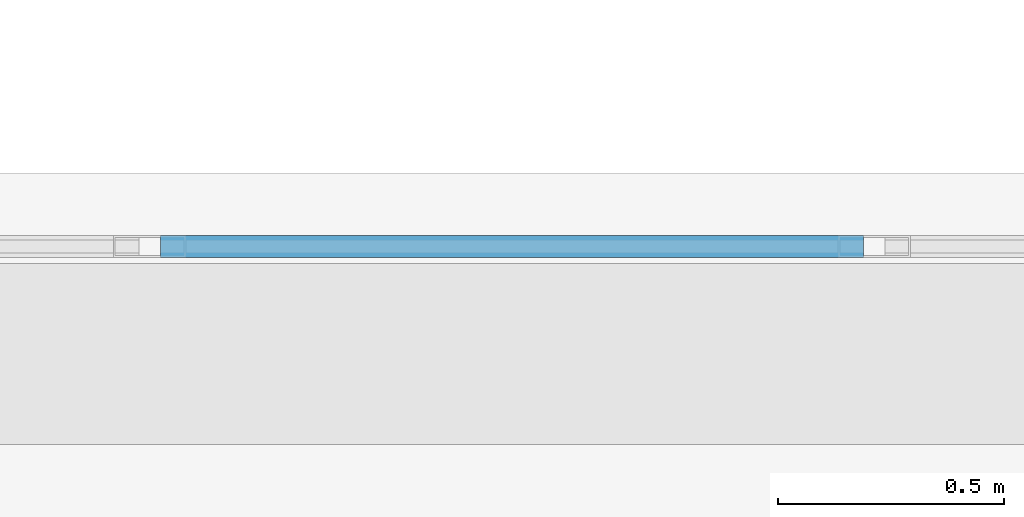
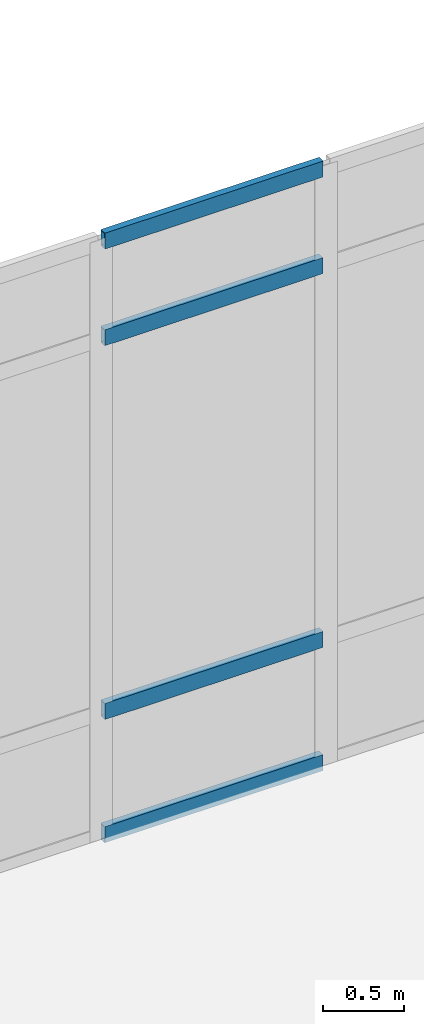
# One storey, part 55 of 189: 4 members, 1 element without a shape of its own.
"""IFC4 building model written with IfcOpenShell, lengths in metres."""

from ifc_helpers import new_model, si_unit, direction, frame, origin, origin_2d, place, context, subcontext, project, spatial, hollow_rectangle, extrude, material, layer, layer_set, material_profile, profile_set, type_object, element, aggregate, save


model = new_model("IFC4")

# Units and contexts
model_context = context("Model", 3, precision=1e-05, world=origin(), true_north=direction((0.0, 1.0)))
body_context = subcontext(model_context, "Body", "Model", "MODEL_VIEW")
ifc_project = project(units=[si_unit("LENGTHUNIT", "METRE"), si_unit("AREAUNIT", "SQUARE_METRE"), si_unit("VOLUMEUNIT", "CUBIC_METRE"), si_unit("PLANEANGLEUNIT", "RADIAN"), si_unit("MASSUNIT", "GRAM", prefix="KILO")], contexts=[model_context])

# Site, building, storey
site_placement = place(None, origin())
site = spatial("IfcSite", under=ifc_project, at=site_placement, CompositionType="ELEMENT")
building_placement = place(site_placement, origin())
building = spatial("IfcBuilding", under=site, at=building_placement, Name="Qalavern Law Courts", CompositionType="ELEMENT")
storey_placement = place(building_placement, frame((0.0, 0.0, 5.39990234375)))
storey = spatial("IfcBuildingStorey", under=building, at=storey_placement, Name="L01", CompositionType="ELEMENT", Elevation=5.39990234375)

# Curtain wall, members
ifc_material_1 = material(Name="Anodised aluminium and insulated glazing", Category="aluminium")
ifc_layer = layer(ifc_material_1, 0.172119140625)
ifc_layer_set = layer_set([ifc_layer], Name="Anodised aluminium and insulated glazing")
curtain_wall_type = type_object("IfcCurtainWallType", Name="ENV-CW-COURT", PredefinedType="USERDEFINED", material=ifc_layer_set)
curtain_wall_placement = place(storey_placement, origin())
curtain_wall = element("IfcCurtainWall", 1, at=curtain_wall_placement, inside=storey, type_object=curtain_wall_type, Name="V6 unitised curtain wall L01 north 5", ObjectType="UNITISED CURTAIN WALL", PredefinedType="USERDEFINED")
ifc_material_2 = material(Name="Anodised aluminium", Category="aluminium")
ifc_material_profile = material_profile(ifc_material_2, hollow_rectangle(XDim=0.048095703125, YDim=0.1201171875, WallThickness=0.00390625, at=origin_2d()), Name="ALU TRANSOM 48x120")
ifc_profile_set = profile_set([ifc_material_profile], Name="Anodised aluminium")
member_type = type_object("IfcMemberType", Name="ENV-CWT-48x120", PredefinedType="USERDEFINED", material=ifc_profile_set)
member_1_placement = place(storey_placement, frame((130.47607421875, 22.4375, 0.024169921875), z_axis=(-1.0, 0.0, 0.0), x_axis=(0.0, -1.0, 0.0)))
member_1 = element("IfcMember", 2, at=member_1_placement, type_object=member_type, Name="CW-03 transom 3.1", ObjectType="TRANSOM", PredefinedType="USERDEFINED", context=body_context, shape_type="SweptSolid", body=[
    extrude(hollow_rectangle(XDim=0.048095703125, YDim=0.1201171875, WallThickness=0.00390625, at=origin_2d()), origin(), (0.0, 0.0, 1.0), 1.552001953125),
])
member_2_placement = place(storey_placement, frame((130.47607421875, 22.4375, 0.9501953125), z_axis=(-1.0, 0.0, 0.0), x_axis=(0.0, -1.0, 0.0)))
member_2 = element("IfcMember", 3, at=member_2_placement, type_object=member_type, Name="CW-03 transom 3.2", ObjectType="TRANSOM", PredefinedType="USERDEFINED", context=body_context, shape_type="SweptSolid", body=[
    extrude(hollow_rectangle(XDim=0.048095703125, YDim=0.1201171875, WallThickness=0.00390625, at=origin_2d()), origin(), (0.0, 0.0, 1.0), 1.552001953125),
])
member_3_placement = place(storey_placement, frame((130.47607421875, 22.4375, 3.760009765625), z_axis=(-1.0, 0.0, 0.0), x_axis=(0.0, -1.0, 0.0)))
member_3 = element("IfcMember", 4, at=member_3_placement, type_object=member_type, Name="CW-03 transom 3.3", ObjectType="TRANSOM", PredefinedType="USERDEFINED", context=body_context, shape_type="SweptSolid", body=[
    extrude(hollow_rectangle(XDim=0.048095703125, YDim=0.1201171875, WallThickness=0.00390625, at=origin_2d()), origin(), (0.0, 0.0, 1.0), 1.552001953125),
])
member_4_placement = place(storey_placement, frame((130.47607421875, 22.4375, 4.486083984375), z_axis=(-1.0, 0.0, 0.0), x_axis=(0.0, -1.0, 0.0)))
member_4 = element("IfcMember", 5, at=member_4_placement, type_object=member_type, Name="CW-03 transom 3.4", ObjectType="TRANSOM", PredefinedType="USERDEFINED", context=body_context, shape_type="SweptSolid", body=[
    extrude(hollow_rectangle(XDim=0.048095703125, YDim=0.1201171875, WallThickness=0.00390625, at=origin_2d()), origin(), (0.0, 0.0, 1.0), 1.552001953125),
])
aggregate(curtain_wall, [member_1, member_2, member_3, member_4])

save(model, "model.ifc")
